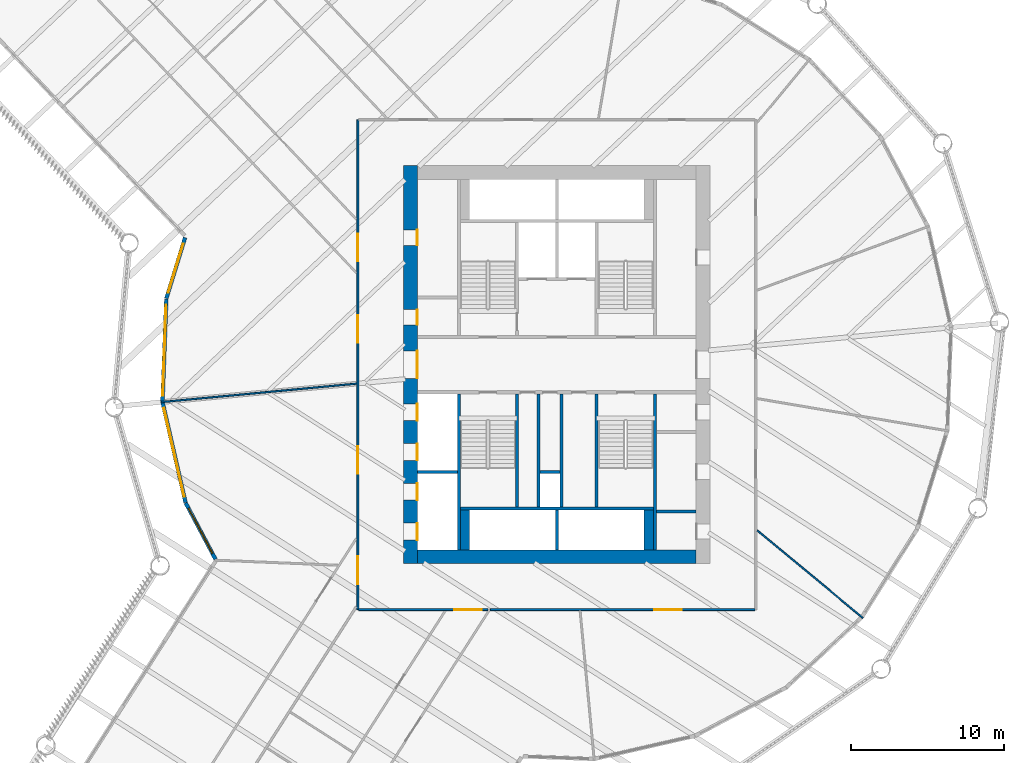
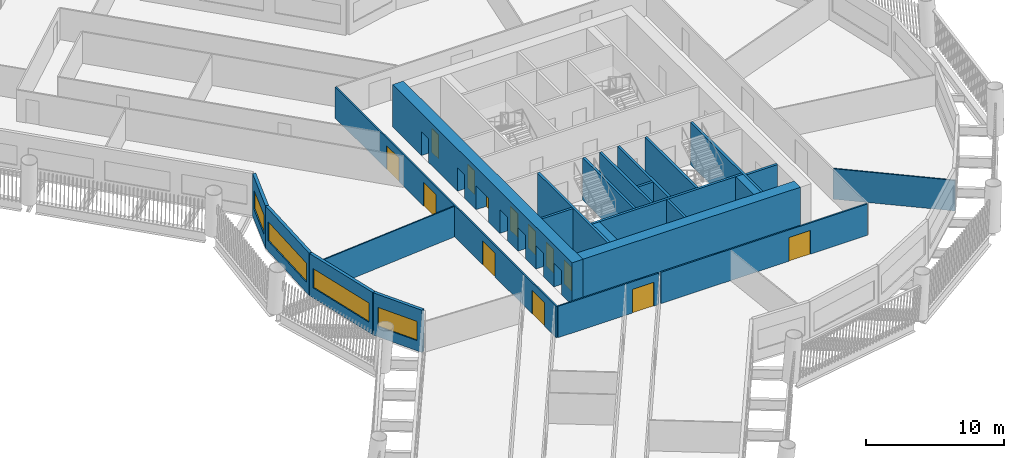
# One storey, part 4 of 15: 24 walls, 13 doors, 4 windows, 17 openings.
"""IFC4 building model written with IfcOpenShell, lengths in metres."""

from ifc_helpers import new_model, si_unit, direction, frame, frame_2d, origin, place, context, subcontext, project, spatial, rectangle, extrude, material, layer, layer_set, type_object, element, fill, save


model = new_model("IFC4")

# Units and contexts
model_context = context("Model", 3, precision=1e-05, world=origin(), true_north=direction((0.0, 1.0)))
body_context = subcontext(model_context, "Body", "Model", "MODEL_VIEW")
ifc_project = project(units=[si_unit("LENGTHUNIT", "METRE"), si_unit("AREAUNIT", "SQUARE_METRE"), si_unit("VOLUMEUNIT", "CUBIC_METRE"), si_unit("PLANEANGLEUNIT", "RADIAN"), si_unit("MASSUNIT", "GRAM", prefix="KILO")], contexts=[model_context])

# Site, building, storey
site_placement = place(None, origin())
site = spatial("IfcSite", under=ifc_project, at=site_placement, CompositionType="ELEMENT")
building_placement = place(site_placement, origin())
building = spatial("IfcBuilding", under=site, at=building_placement, Name="Tarsis Ring Headquarters", CompositionType="ELEMENT")
storey_placement = place(building_placement, frame((0.0, 0.0, 67.300048828125)))
storey = spatial("IfcBuildingStorey", under=building, at=storey_placement, Name="L14", CompositionType="ELEMENT", Elevation=67.300048828125)

# Walls
ifc_material_1 = material(Name="Blockwork", Category="masonry")
ifc_layer_1 = layer(ifc_material_1, 0.199951171875)
ifc_layer_set_1 = layer_set([ifc_layer_1], Name="Core blockwork wall 200")
wall_type_1 = type_object("IfcWallType", Name="Core blockwork wall 200", PredefinedType="PARTITIONING", material=ifc_layer_set_1)
wall_1_placement = place(storey_placement, frame((6.5, -9.60009765625, 0.0), z_axis=(0.0, 0.0, 1.0), x_axis=(1.0, 0.0, 0.0)))
element("IfcWall", 1, at=wall_1_placement, inside=storey, type_object=wall_type_1, Name="Core partition ED1", PredefinedType="PARTITIONING", context=body_context, shape_type="SweptSolid", body=[
    extrude(rectangle(XDim=2.60009765625, YDim=0.199951171875, at=frame_2d((1.300048828125, 0.0))), origin(), (0.0, 0.0, 1.0), 3.739990234375),
])
wall_2_placement = place(storey_placement, frame((-1.10009765625, -7.0, 0.0), z_axis=(0.0, 0.0, 1.0), x_axis=(1.0, 0.0, 0.0)))
element("IfcWall", 2, at=wall_2_placement, inside=storey, type_object=wall_type_1, Name="Core partition SP2", PredefinedType="PARTITIONING", context=body_context, shape_type="SweptSolid", body=[
    extrude(rectangle(XDim=1.300048828125, YDim=0.199951171875, at=frame_2d((0.64990234375, 0.0))), origin(), (0.0, 0.0, 1.0), 3.739990234375),
])
for number, where, z_axis, x_axis, name in (
    (3, (-1.199951171875, -9.300048828125, 0.0), (0.0, 0.0, 1.0), (0.0, 1.0, 0.0), "Core partition SV1"),
    (4, (0.300048828125, -9.300048828125, 0.0), (0.0, 0.0, 1.0), (0.0, 1.0, 0.0), "Core partition SV2"),
):
    element("IfcWall", number, at=place(storey_placement, frame(where, z_axis=z_axis, x_axis=x_axis)), inside=storey, type_object=wall_type_1, Name=name, PredefinedType="PARTITIONING", context=body_context, shape_type="SweptSolid", body=[
        extrude(rectangle(XDim=7.400146484375, YDim=0.199951171875, at=frame_2d((3.7001953125, 0.0))), origin(), (0.0, 0.0, 1.0), 3.739990234375),
    ])

# Wall, openings, doors
ifc_material_2 = material(Name="Concrete C60/75", Category="concrete")
ifc_layer_2 = layer(ifc_material_2, 0.89990234375)
ifc_layer_set_2 = layer_set([ifc_layer_2], Name="Core wall 900 C60/75")
wall_type_2 = type_object("IfcWallType", Name="Core wall 900 C60/75", PredefinedType="SHEAR", material=ifc_layer_set_2)
wall_3_placement = place(storey_placement, frame((-9.550048828125, -13.0, 0.0), z_axis=(0.0, 0.0, 1.0), x_axis=(0.0, 1.0, 0.0)))
wall_3 = element("IfcWall", 5, at=wall_3_placement, inside=storey, type_object=wall_type_2, Name="Core wall OW", PredefinedType="SHEAR", context=body_context, shape_type="SweptSolid", body=[
    extrude(rectangle(XDim=26.0, YDim=0.89990234375, at=frame_2d((13.0, 0.0))), origin(), (0.0, 0.0, 1.0), 3.739990234375),
])
opening_1_placement = place(wall_3_placement, frame((1.550048828125, 0.0, 0.0)))
opening_1 = element("IfcOpeningElement", 6, at=opening_1_placement, cuts=wall_3, Name="Opening LD-LR1", PredefinedType="OPENING", context=body_context, shape_type="SweptSolid", body=[
    extrude(rectangle(XDim=1.10009765625, YDim=2.10009765625, at=frame_2d((0.550048828125, 1.050048828125))), frame((0.0, 0.4599609375, 0.0), z_axis=(0.0, -1.0, 0.0), x_axis=(1.0, 0.0, 0.0)), (0.0, 0.0, 1.0), 0.919921875),
])
opening_2_placement = place(wall_3_placement, frame((4.14990234375, 0.0, 0.0)))
opening_2 = element("IfcOpeningElement", 7, at=opening_2_placement, cuts=wall_3, Name="Opening LD-LR2", PredefinedType="OPENING", context=body_context, shape_type="SweptSolid", body=[
    extrude(rectangle(XDim=1.10009765625, YDim=2.10009765625, at=frame_2d((0.550048828125, 1.050048828125))), frame((0.0, 0.4599609375, 0.0), z_axis=(0.0, -1.0, 0.0), x_axis=(1.0, 0.0, 0.0)), (0.0, 0.0, 1.0), 0.919921875),
])
opening_3_placement = place(wall_3_placement, frame((6.75, 0.0, 0.0)))
opening_3 = element("IfcOpeningElement", 8, at=opening_3_placement, cuts=wall_3, Name="Opening LD-LR3", PredefinedType="OPENING", context=body_context, shape_type="SweptSolid", body=[
    extrude(rectangle(XDim=1.10009765625, YDim=2.10009765625, at=frame_2d((0.550048828125, 1.050048828125))), frame((0.0, 0.4599609375, 0.0), z_axis=(0.0, -1.0, 0.0), x_axis=(1.0, 0.0, 0.0)), (0.0, 0.0, 1.0), 0.919921875),
])
opening_4_placement = place(wall_3_placement, frame((9.35009765625, 0.0, 0.0)))
opening_4 = element("IfcOpeningElement", 9, at=opening_4_placement, cuts=wall_3, Name="Opening LD-LR4", PredefinedType="OPENING", context=body_context, shape_type="SweptSolid", body=[
    extrude(rectangle(XDim=1.10009765625, YDim=2.10009765625, at=frame_2d((0.550048828125, 1.050048828125))), frame((0.0, 0.4599609375, 0.0), z_axis=(0.0, -1.0, 0.0), x_axis=(1.0, 0.0, 0.0)), (0.0, 0.0, 1.0), 0.919921875),
])
opening_5_placement = place(wall_3_placement, frame((12.10009765625, 0.0, 0.0)))
opening_5 = element("IfcOpeningElement", 10, at=opening_5_placement, cuts=wall_3, Name="Opening L14-C05", PredefinedType="OPENING", context=body_context, shape_type="SweptSolid", body=[
    extrude(rectangle(XDim=1.800048828125, YDim=2.10009765625, at=frame_2d((0.89990234375, 1.050048828125))), frame((0.0, 0.4599609375, 0.0), z_axis=(0.0, -1.0, 0.0), x_axis=(1.0, 0.0, 0.0)), (0.0, 0.0, 1.0), 0.919921875),
])
opening_6_placement = place(wall_3_placement, frame((15.60009765625, 0.0, 0.0)))
opening_6 = element("IfcOpeningElement", 11, at=opening_6_placement, cuts=wall_3, Name="Opening L14-C06", PredefinedType="OPENING", context=body_context, shape_type="SweptSolid", body=[
    extrude(rectangle(XDim=1.0, YDim=2.10009765625, at=frame_2d((0.5, 1.050048828125))), frame((0.0, 0.4599609375, 0.0), z_axis=(0.0, -1.0, 0.0), x_axis=(1.0, 0.0, 0.0)), (0.0, 0.0, 1.0), 0.919921875),
])
opening_7_placement = place(wall_3_placement, frame((20.800048828125, 0.0, 0.0)))
opening_7 = element("IfcOpeningElement", 12, at=opening_7_placement, cuts=wall_3, Name="Opening L14-C07", PredefinedType="OPENING", context=body_context, shape_type="SweptSolid", body=[
    extrude(rectangle(XDim=1.0, YDim=2.10009765625, at=frame_2d((0.5, 1.050048828125))), frame((0.0, 0.4599609375, 0.0), z_axis=(0.0, -1.0, 0.0), x_axis=(1.0, 0.0, 0.0)), (0.0, 0.0, 1.0), 0.919921875),
])
ifc_material_3 = material(Name="Steel S355", Category="steel")
door_type_1 = type_object("IfcDoorType", Name="Core entry door 1800x2100", OperationType="DOUBLE_DOOR_SINGLE_SWING", PredefinedType="DOOR", material=ifc_material_3)
door_1_placement = place(opening_5_placement, origin())
door_1 = element("IfcDoor", 13, at=door_1_placement, inside=storey, type_object=door_type_1, Name="Core entry door L14", OperationType="DOUBLE_DOOR_SINGLE_SWING", OverallHeight=2.10009765625, OverallWidth=1.800048828125, PredefinedType="DOOR", context=body_context, shape_type="SweptSolid", body=[
    extrude(rectangle(XDim=1.800048828125, YDim=2.10009765625, at=frame_2d((0.89990234375, 1.050048828125))), frame((0.0, -0.39990234375, 0.0), z_axis=(0.0, -1.0, 0.0), x_axis=(1.0, 0.0, 0.0)), (0.0, 0.0, 1.0), 0.050048828125),
])
fill(opening_5, door_1)
door_type_2 = type_object("IfcDoorType", Name="Core room door 1000x2100", OperationType="SINGLE_SWING_LEFT", PredefinedType="DOOR", material=ifc_material_3)
door_2_placement = place(opening_6_placement, origin())
door_2 = element("IfcDoor", 14, at=door_2_placement, inside=storey, type_object=door_type_2, Name="Core room door L14", OperationType="SINGLE_SWING_LEFT", OverallHeight=2.10009765625, OverallWidth=1.0, PredefinedType="DOOR", context=body_context, shape_type="SweptSolid", body=[
    extrude(rectangle(XDim=1.0, YDim=2.10009765625, at=frame_2d((0.5, 1.050048828125))), frame((0.0, -0.39990234375, 0.0), z_axis=(0.0, -1.0, 0.0), x_axis=(1.0, 0.0, 0.0)), (0.0, 0.0, 1.0), 0.050048828125),
])
fill(opening_6, door_2)
door_3_placement = place(opening_7_placement, origin())
door_3 = element("IfcDoor", 15, at=door_3_placement, inside=storey, type_object=door_type_2, Name="Core room door L14", OperationType="SINGLE_SWING_LEFT", OverallHeight=2.10009765625, OverallWidth=1.0, PredefinedType="DOOR", context=body_context, shape_type="SweptSolid", body=[
    extrude(rectangle(XDim=1.0, YDim=2.10009765625, at=frame_2d((0.5, 1.050048828125))), frame((0.0, -0.39990234375, 0.0), z_axis=(0.0, -1.0, 0.0), x_axis=(1.0, 0.0, 0.0)), (0.0, 0.0, 1.0), 0.050048828125),
])
fill(opening_7, door_3)
door_type_3 = type_object("IfcDoorType", Name="Landing door 1100x2100", OperationType="SLIDING_TO_LEFT", PredefinedType="DOOR", material=ifc_material_3)
door_4_placement = place(opening_1_placement, origin())
door_4 = element("IfcDoor", 16, at=door_4_placement, inside=storey, type_object=door_type_3, Name="Landing door LR1 L14", OperationType="SLIDING_TO_LEFT", OverallHeight=2.10009765625, OverallWidth=1.10009765625, PredefinedType="DOOR", context=body_context, shape_type="SweptSolid", body=[
    extrude(rectangle(XDim=1.10009765625, YDim=2.10009765625, at=frame_2d((0.550048828125, 1.050048828125))), frame((0.0, -0.39990234375, 0.0), z_axis=(0.0, -1.0, 0.0), x_axis=(1.0, 0.0, 0.0)), (0.0, 0.0, 1.0), 0.050048828125),
])
fill(opening_1, door_4)
door_5_placement = place(opening_2_placement, origin())
door_5 = element("IfcDoor", 17, at=door_5_placement, inside=storey, type_object=door_type_3, Name="Landing door LR2 L14", OperationType="SLIDING_TO_LEFT", OverallHeight=2.10009765625, OverallWidth=1.10009765625, PredefinedType="DOOR", context=body_context, shape_type="SweptSolid", body=[
    extrude(rectangle(XDim=1.10009765625, YDim=2.10009765625, at=frame_2d((0.550048828125, 1.050048828125))), frame((0.0, -0.39990234375, 0.0), z_axis=(0.0, -1.0, 0.0), x_axis=(1.0, 0.0, 0.0)), (0.0, 0.0, 1.0), 0.050048828125),
])
fill(opening_2, door_5)
door_6_placement = place(opening_3_placement, origin())
door_6 = element("IfcDoor", 18, at=door_6_placement, inside=storey, type_object=door_type_3, Name="Landing door LR3 L14", OperationType="SLIDING_TO_LEFT", OverallHeight=2.10009765625, OverallWidth=1.10009765625, PredefinedType="DOOR", context=body_context, shape_type="SweptSolid", body=[
    extrude(rectangle(XDim=1.10009765625, YDim=2.10009765625, at=frame_2d((0.550048828125, 1.050048828125))), frame((0.0, -0.39990234375, 0.0), z_axis=(0.0, -1.0, 0.0), x_axis=(1.0, 0.0, 0.0)), (0.0, 0.0, 1.0), 0.050048828125),
])
fill(opening_3, door_6)
door_7_placement = place(opening_4_placement, origin())
door_7 = element("IfcDoor", 19, at=door_7_placement, inside=storey, type_object=door_type_3, Name="Landing door LR4 L14", OperationType="SLIDING_TO_LEFT", OverallHeight=2.10009765625, OverallWidth=1.10009765625, PredefinedType="DOOR", context=body_context, shape_type="SweptSolid", body=[
    extrude(rectangle(XDim=1.10009765625, YDim=2.10009765625, at=frame_2d((0.550048828125, 1.050048828125))), frame((0.0, -0.39990234375, 0.0), z_axis=(0.0, -1.0, 0.0), x_axis=(1.0, 0.0, 0.0)), (0.0, 0.0, 1.0), 0.050048828125),
])
fill(opening_4, door_7)

# Walls
wall_4_placement = place(storey_placement, frame((-9.10009765625, -12.550048828125, 0.0), z_axis=(0.0, 0.0, 1.0), x_axis=(1.0, 0.0, 0.0)))
element("IfcWall", 20, at=wall_4_placement, inside=storey, type_object=wall_type_2, Name="Core wall OS", PredefinedType="SHEAR", context=body_context, shape_type="SweptSolid", body=[
    extrude(rectangle(XDim=18.2001953125, YDim=0.89990234375, at=frame_2d((9.10009765625, 0.0))), origin(), (0.0, 0.0, 1.0), 3.739990234375),
])
ifc_material_4 = material(Name="Gypsum board on steel studs", Category="steel")
ifc_layer_3 = layer(ifc_material_4, 0.10009765625)
ifc_layer_set_3 = layer_set([ifc_layer_3], Name="FL partition 100 unrated")
wall_type_3 = type_object("IfcWallType", Name="FL partition 100 unrated", PredefinedType="PARTITIONING", material=ifc_layer_set_3)
wall_5_placement = place(storey_placement, frame((-25.832763671875, -2.44189453125, 0.0), z_axis=(0.0, 0.0, 1.0), x_axis=(0.995561475642, 0.094113485838, 0.0)))
element("IfcWall", 21, at=wall_5_placement, inside=storey, type_object=wall_type_3, Name="Partition PW3", PredefinedType="PARTITIONING", context=body_context, shape_type="SweptSolid", body=[
    extrude(rectangle(XDim=12.820068359375, YDim=0.10009765625, at=frame_2d((6.41015625, 0.0))), origin(), (0.0, 0.0, 1.0), 2.699951171875),
])
wall_6_placement = place(storey_placement, frame((13.084716796875, -10.82470703125, 0.0), z_axis=(0.0, 0.0, 1.0), x_axis=(0.770517445504, -0.637418909489, 0.0)))
element("IfcWall", 22, at=wall_6_placement, inside=storey, type_object=wall_type_3, Name="Partition PW3", PredefinedType="PARTITIONING", context=body_context, shape_type="SweptSolid", body=[
    extrude(rectangle(XDim=8.966064453125, YDim=0.10009765625, at=frame_2d((4.48291015625, 0.0))), origin(), (0.0, 0.0, 1.0), 2.699951171875),
])

# Wall, openings, doors
ifc_layer_4 = layer(ifc_material_4, 0.125)
ifc_layer_set_4 = layer_set([ifc_layer_4], Name="FL partition 125 EI 60 H2770")
wall_type_4 = type_object("IfcWallType", Name="FL partition 125 EI 60 H2770", PredefinedType="PARTITIONING", material=ifc_layer_set_4)
wall_7_placement = place(storey_placement, frame((-13.0, -16.0, 0.0), z_axis=(0.0, 0.0, 1.0), x_axis=(0.0, 1.0, 0.0)))
wall_7 = element("IfcWall", 23, at=wall_7_placement, inside=storey, type_object=wall_type_4, Name="Partition PW1", PredefinedType="PARTITIONING", context=body_context, shape_type="SweptSolid", body=[
    extrude(rectangle(XDim=32.0, YDim=0.125, at=frame_2d((16.0, 0.0))), origin(), (0.0, 0.0, 1.0), 2.77001953125),
])
opening_8_placement = place(wall_7_placement, frame((8.8876953125, 0.0, 0.0)))
opening_8 = element("IfcOpeningElement", 24, at=opening_8_placement, cuts=wall_7, Name="Opening D14.13", PredefinedType="OPENING", context=body_context, shape_type="SweptSolid", body=[
    extrude(rectangle(XDim=1.800048828125, YDim=2.10009765625, at=frame_2d((0.89990234375, 1.050048828125))), frame((0.0, 0.072509765625, 0.0), z_axis=(0.0, -1.0, 0.0), x_axis=(1.0, 0.0, 0.0)), (0.0, 0.0, 1.0), 0.14501953125),
])
opening_9_placement = place(wall_7_placement, frame((17.436767578125, 0.0, 0.0)))
opening_9 = element("IfcOpeningElement", 25, at=opening_9_placement, cuts=wall_7, Name="Opening D14.14", PredefinedType="OPENING", context=body_context, shape_type="SweptSolid", body=[
    extrude(rectangle(XDim=1.800048828125, YDim=2.10009765625, at=frame_2d((0.89990234375, 1.050048828125))), frame((0.0, 0.072509765625, 0.0), z_axis=(0.0, -1.0, 0.0), x_axis=(1.0, 0.0, 0.0)), (0.0, 0.0, 1.0), 0.14501953125),
])
opening_10_placement = place(wall_7_placement, frame((1.677001953125, 0.0, 0.0)))
opening_10 = element("IfcOpeningElement", 26, at=opening_10_placement, cuts=wall_7, Name="Opening D14.19", PredefinedType="OPENING", context=body_context, shape_type="SweptSolid", body=[
    extrude(rectangle(XDim=1.800048828125, YDim=2.10009765625, at=frame_2d((0.89990234375, 1.050048828125))), frame((0.0, 0.072509765625, 0.0), z_axis=(0.0, -1.0, 0.0), x_axis=(1.0, 0.0, 0.0)), (0.0, 0.0, 1.0), 0.14501953125),
])
opening_11_placement = place(wall_7_placement, frame((22.748779296875, 0.0, 0.0)))
opening_11 = element("IfcOpeningElement", 27, at=opening_11_placement, cuts=wall_7, Name="Opening D14.21", PredefinedType="OPENING", context=body_context, shape_type="SweptSolid", body=[
    extrude(rectangle(XDim=1.800048828125, YDim=2.10009765625, at=frame_2d((0.89990234375, 1.050048828125))), frame((0.0, 0.072509765625, 0.0), z_axis=(0.0, -1.0, 0.0), x_axis=(1.0, 0.0, 0.0)), (0.0, 0.0, 1.0), 0.14501953125),
])
ifc_material_5 = material(Name="Fire-rated timber door leaf in steel frame", Category="steel")
door_type_4 = type_object("IfcDoorType", Name="FL door FD60-1800", OperationType="DOUBLE_DOOR_SINGLE_SWING", PredefinedType="DOOR", material=ifc_material_5)
door_8_placement = place(opening_8_placement, origin())
door_8 = element("IfcDoor", 28, at=door_8_placement, inside=storey, type_object=door_type_4, Name="Door D14.13", OperationType="DOUBLE_DOOR_SINGLE_SWING", OverallHeight=2.10009765625, OverallWidth=1.800048828125, PredefinedType="DOOR", context=body_context, shape_type="SweptSolid", body=[
    extrude(rectangle(XDim=1.800048828125, YDim=2.10009765625, at=frame_2d((0.89990234375, 1.050048828125))), frame((0.0, 0.02490234375, 0.0), z_axis=(0.0, -1.0, 0.0), x_axis=(1.0, 0.0, 0.0)), (0.0, 0.0, 1.0), 0.050048828125),
])
fill(opening_8, door_8)
door_9_placement = place(opening_9_placement, origin())
door_9 = element("IfcDoor", 29, at=door_9_placement, inside=storey, type_object=door_type_4, Name="Door D14.14", OperationType="DOUBLE_DOOR_SINGLE_SWING", OverallHeight=2.10009765625, OverallWidth=1.800048828125, PredefinedType="DOOR", context=body_context, shape_type="SweptSolid", body=[
    extrude(rectangle(XDim=1.800048828125, YDim=2.10009765625, at=frame_2d((0.89990234375, 1.050048828125))), frame((0.0, 0.02490234375, 0.0), z_axis=(0.0, -1.0, 0.0), x_axis=(1.0, 0.0, 0.0)), (0.0, 0.0, 1.0), 0.050048828125),
])
fill(opening_9, door_9)
door_10_placement = place(opening_10_placement, origin())
door_10 = element("IfcDoor", 30, at=door_10_placement, inside=storey, type_object=door_type_4, Name="Door D14.19", OperationType="DOUBLE_DOOR_SINGLE_SWING", OverallHeight=2.10009765625, OverallWidth=1.800048828125, PredefinedType="DOOR", context=body_context, shape_type="SweptSolid", body=[
    extrude(rectangle(XDim=1.800048828125, YDim=2.10009765625, at=frame_2d((0.89990234375, 1.050048828125))), frame((0.0, 0.02490234375, 0.0), z_axis=(0.0, -1.0, 0.0), x_axis=(1.0, 0.0, 0.0)), (0.0, 0.0, 1.0), 0.050048828125),
])
fill(opening_10, door_10)
door_11_placement = place(opening_11_placement, origin())
door_11 = element("IfcDoor", 31, at=door_11_placement, inside=storey, type_object=door_type_4, Name="Door D14.21", OperationType="DOUBLE_DOOR_SINGLE_SWING", OverallHeight=2.10009765625, OverallWidth=1.800048828125, PredefinedType="DOOR", context=body_context, shape_type="SweptSolid", body=[
    extrude(rectangle(XDim=1.800048828125, YDim=2.10009765625, at=frame_2d((0.89990234375, 1.050048828125))), frame((0.0, 0.02490234375, 0.0), z_axis=(0.0, -1.0, 0.0), x_axis=(1.0, 0.0, 0.0)), (0.0, 0.0, 1.0), 0.050048828125),
])
fill(opening_11, door_11)

# Wall, opening, door
wall_8_placement = place(storey_placement, frame((-12.93994140625, -16.0, 0.0), z_axis=(0.0, 0.0, 1.0), x_axis=(1.0, 0.0, 0.0)))
wall_8 = element("IfcWall", 32, at=wall_8_placement, inside=storey, type_object=wall_type_4, Name="Partition PW1", PredefinedType="PARTITIONING", context=body_context, shape_type="SweptSolid", body=[
    extrude(rectangle(XDim=8.433349609375, YDim=0.125, at=frame_2d((4.216796875, 0.0))), origin(), (0.0, 0.0, 1.0), 2.77001953125),
])
opening_12_placement = place(wall_8_placement, frame((6.223388671875, 0.0, 0.0)))
opening_12 = element("IfcOpeningElement", 33, at=opening_12_placement, cuts=wall_8, Name="Opening D14.20", PredefinedType="OPENING", context=body_context, shape_type="SweptSolid", body=[
    extrude(rectangle(XDim=1.800048828125, YDim=2.10009765625, at=frame_2d((0.89990234375, 1.050048828125))), frame((0.0, 0.072509765625, 0.0), z_axis=(0.0, -1.0, 0.0), x_axis=(1.0, 0.0, 0.0)), (0.0, 0.0, 1.0), 0.14501953125),
])
door_12_placement = place(opening_12_placement, origin())
door_12 = element("IfcDoor", 34, at=door_12_placement, inside=storey, type_object=door_type_4, Name="Door D14.20", OperationType="DOUBLE_DOOR_SINGLE_SWING", OverallHeight=2.10009765625, OverallWidth=1.800048828125, PredefinedType="DOOR", context=body_context, shape_type="SweptSolid", body=[
    extrude(rectangle(XDim=1.800048828125, YDim=2.10009765625, at=frame_2d((0.89990234375, 1.050048828125))), frame((0.0, 0.02490234375, 0.0), z_axis=(0.0, -1.0, 0.0), x_axis=(1.0, 0.0, 0.0)), (0.0, 0.0, 1.0), 0.050048828125),
])
fill(opening_12, door_12)

wall_9_placement = place(storey_placement, frame((-4.339599609375, -16.0, 0.0), z_axis=(0.0, 0.0, 1.0), x_axis=(1.0, 0.0, 0.0)))
wall_9 = element("IfcWall", 35, at=wall_9_placement, inside=storey, type_object=wall_type_4, Name="Partition PW1", PredefinedType="PARTITIONING", context=body_context, shape_type="SweptSolid", body=[
    extrude(rectangle(XDim=17.279541015625, YDim=0.125, at=frame_2d((8.6396484375, 0.0))), origin(), (0.0, 0.0, 1.0), 2.77001953125),
])
opening_13_placement = place(wall_9_placement, frame((10.69580078125, 0.0, 0.0)))
opening_13 = element("IfcOpeningElement", 36, at=opening_13_placement, cuts=wall_9, Name="Opening D14.08", PredefinedType="OPENING", context=body_context, shape_type="SweptSolid", body=[
    extrude(rectangle(XDim=1.800048828125, YDim=2.10009765625, at=frame_2d((0.89990234375, 1.050048828125))), frame((0.0, 0.072509765625, 0.0), z_axis=(0.0, -1.0, 0.0), x_axis=(1.0, 0.0, 0.0)), (0.0, 0.0, 1.0), 0.14501953125),
])
door_13_placement = place(opening_13_placement, origin())
door_13 = element("IfcDoor", 37, at=door_13_placement, inside=storey, type_object=door_type_4, Name="Door D14.08", OperationType="DOUBLE_DOOR_SINGLE_SWING", OverallHeight=2.10009765625, OverallWidth=1.800048828125, PredefinedType="DOOR", context=body_context, shape_type="SweptSolid", body=[
    extrude(rectangle(XDim=1.800048828125, YDim=2.10009765625, at=frame_2d((0.89990234375, 1.050048828125))), frame((0.0, 0.02490234375, 0.0), z_axis=(0.0, -1.0, 0.0), x_axis=(1.0, 0.0, 0.0)), (0.0, 0.0, 1.0), 0.050048828125),
])
fill(opening_13, door_13)

# Wall, opening, window
ifc_material_6 = material(Name="Terracotta clad insulated panel wall", Category="masonry")
ifc_layer_5 = layer(ifc_material_6, 0.25)
ifc_layer_set_5 = layer_set([ifc_layer_5], Name="Facade wall terracotta panel 250")
wall_type_5 = type_object("IfcWallType", Name="Facade wall terracotta panel 250", PredefinedType="STANDARD", material=ifc_layer_set_5)
wall_10_placement = place(storey_placement, frame((-24.2841796875, 8.304443359375, 0.0), z_axis=(0.0, 0.0, 1.0), x_axis=(-0.294085848838, -0.955779008722, 0.0)))
wall_10 = element("IfcWall", 38, at=wall_10_placement, inside=storey, type_object=wall_type_5, Name="External wall L14-02", PredefinedType="STANDARD", context=body_context, shape_type="SweptSolid", body=[
    extrude(rectangle(XDim=4.157470703125, YDim=0.25, at=frame_2d((2.07861328125, 0.0))), origin(), (0.0, 0.0, 1.0), 3.739990234375),
])
opening_14_placement = place(wall_10_placement, frame((0.420166015625, 0.0, 0.89990234375)))
opening_14 = element("IfcOpeningElement", 39, at=opening_14_placement, cuts=wall_10, Name="Opening WN01", PredefinedType="OPENING", context=body_context, shape_type="SweptSolid", body=[
    extrude(rectangle(XDim=3.35009765625, YDim=1.699951171875, at=frame_2d((1.675048828125, 0.85009765625))), frame((0.0, 0.135009765625, 0.0), z_axis=(0.0, -1.0, 0.0), x_axis=(1.0, 0.0, 0.0)), (0.0, 0.0, 1.0), 0.27001953125),
])
ifc_material_7 = material(Name="Aluminium framed double glazing", Category="aluminium")
window_type_1 = type_object("IfcWindowType", Name="Facade window 3350 x 1700", PartitioningType="SINGLE_PANEL", PredefinedType="WINDOW", material=ifc_material_7)
window_1_placement = place(opening_14_placement, origin())
window_1 = element("IfcWindow", 40, at=window_1_placement, inside=storey, type_object=window_type_1, Name="Window L14-02.1", OverallHeight=1.699951171875, OverallWidth=3.35009765625, PartitioningType="SINGLE_PANEL", PredefinedType="WINDOW", context=body_context, shape_type="SweptSolid", body=[
    extrude(rectangle(XDim=3.35009765625, YDim=1.699951171875, at=frame_2d((1.675048828125, 0.85009765625))), frame((0.0, 0.030029296875, 0.0), z_axis=(0.0, -1.0, 0.0), x_axis=(1.0, 0.0, 0.0)), (0.0, 0.0, 1.0), 0.06005859375),
])
fill(opening_14, window_1)

wall_11_placement = place(storey_placement, frame((-25.51220703125, 4.298583984375, 0.0), z_axis=(0.0, 0.0, 1.0), x_axis=(-0.036648935265, -0.999328202116, 0.0)))
wall_11 = element("IfcWall", 41, at=wall_11_placement, inside=storey, type_object=wall_type_5, Name="External wall L14-03", PredefinedType="STANDARD", context=body_context, shape_type="SweptSolid", body=[
    extrude(rectangle(XDim=6.721435546875, YDim=0.25, at=frame_2d((3.36083984375, 0.0))), origin(), (0.0, 0.0, 1.0), 3.739990234375),
])
opening_15_placement = place(wall_11_placement, frame((0.3857421875, 0.0, 0.89990234375)))
opening_15 = element("IfcOpeningElement", 42, at=opening_15_placement, cuts=wall_11, Name="Opening WN07", PredefinedType="OPENING", context=body_context, shape_type="SweptSolid", body=[
    extrude(rectangle(XDim=5.949951171875, YDim=1.699951171875, at=frame_2d((2.97509765625, 0.85009765625))), frame((0.0, 0.135009765625, 0.0), z_axis=(0.0, -1.0, 0.0), x_axis=(1.0, 0.0, 0.0)), (0.0, 0.0, 1.0), 0.27001953125),
])
window_type_2 = type_object("IfcWindowType", Name="Facade window 5950 x 1700", PartitioningType="SINGLE_PANEL", PredefinedType="WINDOW", material=ifc_material_7)
window_2_placement = place(opening_15_placement, origin())
window_2 = element("IfcWindow", 43, at=window_2_placement, inside=storey, type_object=window_type_2, Name="Window L14-03.1", OverallHeight=1.699951171875, OverallWidth=5.949951171875, PartitioningType="SINGLE_PANEL", PredefinedType="WINDOW", context=body_context, shape_type="SweptSolid", body=[
    extrude(rectangle(XDim=5.949951171875, YDim=1.699951171875, at=frame_2d((2.97509765625, 0.85009765625))), frame((0.0, 0.030029296875, 0.0), z_axis=(0.0, -1.0, 0.0), x_axis=(1.0, 0.0, 0.0)), (0.0, 0.0, 1.0), 0.06005859375),
])
fill(opening_15, window_2)

wall_12_placement = place(storey_placement, frame((-25.75537109375, -2.450927734375, 0.0), z_axis=(0.0, 0.0, 1.0), x_axis=(0.223233083924, -0.974765094903, 0.0)))
wall_12 = element("IfcWall", 44, at=wall_12_placement, inside=storey, type_object=wall_type_5, Name="External wall L14-04", PredefinedType="STANDARD", context=body_context, shape_type="SweptSolid", body=[
    extrude(rectangle(XDim=6.7216796875, YDim=0.25, at=frame_2d((3.36083984375, 0.0))), origin(), (0.0, 0.0, 1.0), 3.739990234375),
])
opening_16_placement = place(wall_12_placement, frame((0.3857421875, 0.0, 0.89990234375)))
opening_16 = element("IfcOpeningElement", 45, at=opening_16_placement, cuts=wall_12, Name="Opening WN07", PredefinedType="OPENING", context=body_context, shape_type="SweptSolid", body=[
    extrude(rectangle(XDim=5.949951171875, YDim=1.699951171875, at=frame_2d((2.97509765625, 0.85009765625))), frame((0.0, 0.135009765625, 0.0), z_axis=(0.0, -1.0, 0.0), x_axis=(1.0, 0.0, 0.0)), (0.0, 0.0, 1.0), 0.27001953125),
])
window_3_placement = place(opening_16_placement, origin())
window_3 = element("IfcWindow", 46, at=window_3_placement, inside=storey, type_object=window_type_2, Name="Window L14-04.1", OverallHeight=1.699951171875, OverallWidth=5.949951171875, PartitioningType="SINGLE_PANEL", PredefinedType="WINDOW", context=body_context, shape_type="SweptSolid", body=[
    extrude(rectangle(XDim=5.949951171875, YDim=1.699951171875, at=frame_2d((2.97509765625, 0.85009765625))), frame((0.0, 0.030029296875, 0.0), z_axis=(0.0, -1.0, 0.0), x_axis=(1.0, 0.0, 0.0)), (0.0, 0.0, 1.0), 0.06005859375),
])
fill(opening_16, window_3)

wall_13_placement = place(storey_placement, frame((-24.243408203125, -9.033447265625, 0.0), z_axis=(0.0, 0.0, 1.0), x_axis=(0.46790390881, -0.883779345833, 0.0)))
wall_13 = element("IfcWall", 47, at=wall_13_placement, inside=storey, type_object=wall_type_5, Name="External wall L14-05", PredefinedType="STANDARD", context=body_context, shape_type="SweptSolid", body=[
    extrude(rectangle(XDim=4.157470703125, YDim=0.25, at=frame_2d((2.07861328125, 0.0))), origin(), (0.0, 0.0, 1.0), 3.739990234375),
])
opening_17_placement = place(wall_13_placement, frame((0.38720703125, 0.0, 0.89990234375)))
opening_17 = element("IfcOpeningElement", 48, at=opening_17_placement, cuts=wall_13, Name="Opening WN01", PredefinedType="OPENING", context=body_context, shape_type="SweptSolid", body=[
    extrude(rectangle(XDim=3.35009765625, YDim=1.699951171875, at=frame_2d((1.675048828125, 0.85009765625))), frame((0.0, 0.135009765625, 0.0), z_axis=(0.0, -1.0, 0.0), x_axis=(1.0, 0.0, 0.0)), (0.0, 0.0, 1.0), 0.27001953125),
])
window_4_placement = place(opening_17_placement, origin())
window_4 = element("IfcWindow", 49, at=window_4_placement, inside=storey, type_object=window_type_1, Name="Window L14-05.1", OverallHeight=1.699951171875, OverallWidth=3.35009765625, PartitioningType="SINGLE_PANEL", PredefinedType="WINDOW", context=body_context, shape_type="SweptSolid", body=[
    extrude(rectangle(XDim=3.35009765625, YDim=1.699951171875, at=frame_2d((1.675048828125, 0.85009765625))), frame((0.0, 0.030029296875, 0.0), z_axis=(0.0, -1.0, 0.0), x_axis=(1.0, 0.0, 0.0)), (0.0, 0.0, 1.0), 0.06005859375),
])
fill(opening_17, window_4)

# Walls
ifc_material_8 = material(Name="Concrete C32/40", Category="concrete")
ifc_layer_6 = layer(ifc_material_8, 0.60009765625)
ifc_layer_set_6 = layer_set([ifc_layer_6], Name="Shaft end wall 600 C32/40")
wall_type_6 = type_object("IfcWallType", Name="Shaft end wall 600 C32/40", PredefinedType="SOLIDWALL", material=ifc_layer_set_6)
for number, where, z_axis, x_axis, name in (
    (50, (-6.0, -12.10009765625, 0.0), (0.0, 0.0, 1.0), (0.0, 1.0, 0.0), "Core shaft wall SNE1"),
    (51, (6.0, -12.10009765625, 0.0), (0.0, 0.0, 1.0), (0.0, 1.0, 0.0), "Core shaft wall SNE2"),
):
    element("IfcWall", number, at=place(storey_placement, frame(where, z_axis=z_axis, x_axis=x_axis)), inside=storey, type_object=wall_type_6, Name=name, PredefinedType="SOLIDWALL", context=body_context, shape_type="SweptSolid", body=[
        extrude(rectangle(XDim=2.60009765625, YDim=0.60009765625, at=frame_2d((1.300048828125, 0.0))), origin(), (0.0, 0.0, 1.0), 3.739990234375),
    ])
ifc_layer_7 = layer(ifc_material_8, 0.199951171875)
ifc_layer_set_7 = layer_set([ifc_layer_7], Name="Shaft wall 200 C32/40")
wall_type_7 = type_object("IfcWallType", Name="Shaft wall 200 C32/40", PredefinedType="SOLIDWALL", material=ifc_layer_set_7)
for number, where, z_axis, x_axis, name in (
    (52, (-6.39990234375, -12.10009765625, 0.0), (0.0, 0.0, 1.0), (0.0, 1.0, 0.0), "Core shaft wall WB1"),
    (53, (6.39990234375, -12.10009765625, 0.0), (0.0, 0.0, 1.0), (0.0, 1.0, 0.0), "Core shaft wall EB1"),
):
    element("IfcWall", number, at=place(storey_placement, frame(where, z_axis=z_axis, x_axis=x_axis)), inside=storey, type_object=wall_type_7, Name=name, PredefinedType="SOLIDWALL", context=body_context, shape_type="SweptSolid", body=[
        extrude(rectangle(XDim=10.2001953125, YDim=0.199951171875, at=frame_2d((5.10009765625, 0.0))), origin(), (0.0, 0.0, 1.0), 3.739990234375),
    ])
wall_14_placement = place(storey_placement, frame((-6.300048828125, -9.39990234375, 0.0), z_axis=(0.0, 0.0, 1.0), x_axis=(1.0, 0.0, 0.0)))
element("IfcWall", 54, at=wall_14_placement, inside=storey, type_object=wall_type_7, Name="Core shaft wall SB", PredefinedType="SOLIDWALL", context=body_context, shape_type="SweptSolid", body=[
    extrude(rectangle(XDim=12.60009765625, YDim=0.199951171875, at=frame_2d((6.300048828125, 0.0))), origin(), (0.0, 0.0, 1.0), 3.739990234375),
])
for number, where, z_axis, x_axis, name in (
    (55, (-2.60009765625, -9.300048828125, 0.0), (0.0, 0.0, 1.0), (0.0, 1.0, 0.0), "Core shaft wall SW3"),
    (56, (2.60009765625, -9.300048828125, 0.0), (0.0, 0.0, 1.0), (0.0, 1.0, 0.0), "Core shaft wall SW4"),
):
    element("IfcWall", number, at=place(storey_placement, frame(where, z_axis=z_axis, x_axis=x_axis)), inside=storey, type_object=wall_type_7, Name=name, PredefinedType="SOLIDWALL", context=body_context, shape_type="SweptSolid", body=[
        extrude(rectangle(XDim=7.400146484375, YDim=0.199951171875, at=frame_2d((3.7001953125, 0.0))), origin(), (0.0, 0.0, 1.0), 3.739990234375),
    ])
for number, where, z_axis, x_axis, name in (
    (57, (-9.10009765625, -7.0, 0.0), (0.0, 0.0, 1.0), (1.0, 0.0, 0.0), "Core shaft wall WD2"),
    (58, (0.0, -12.10009765625, 0.0), (0.0, 0.0, 1.0), (0.0, 1.0, 0.0), "Core shaft wall SD2"),
):
    element("IfcWall", number, at=place(storey_placement, frame(where, z_axis=z_axis, x_axis=x_axis)), inside=storey, type_object=wall_type_7, Name=name, PredefinedType="SOLIDWALL", context=body_context, shape_type="SweptSolid", body=[
        extrude(rectangle(XDim=2.60009765625, YDim=0.199951171875, at=frame_2d((1.300048828125, 0.0))), origin(), (0.0, 0.0, 1.0), 3.739990234375),
    ])

save(model, "model.ifc")
